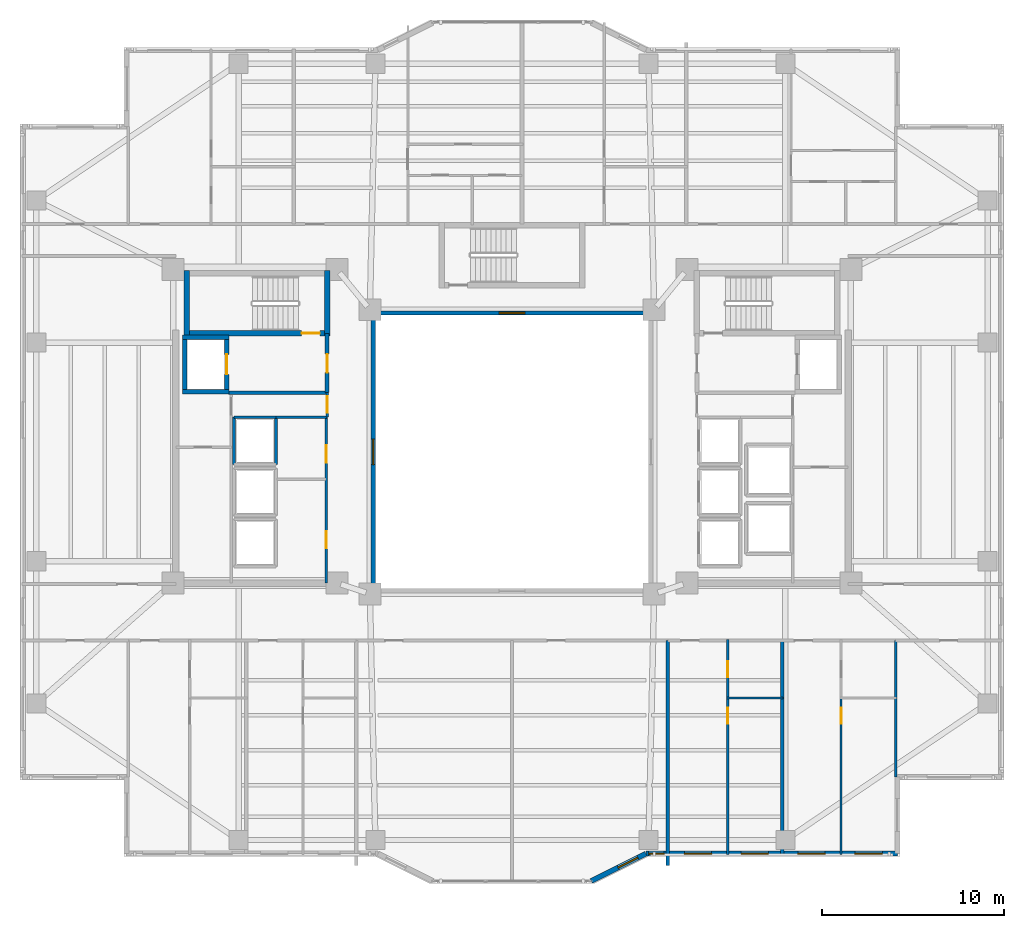
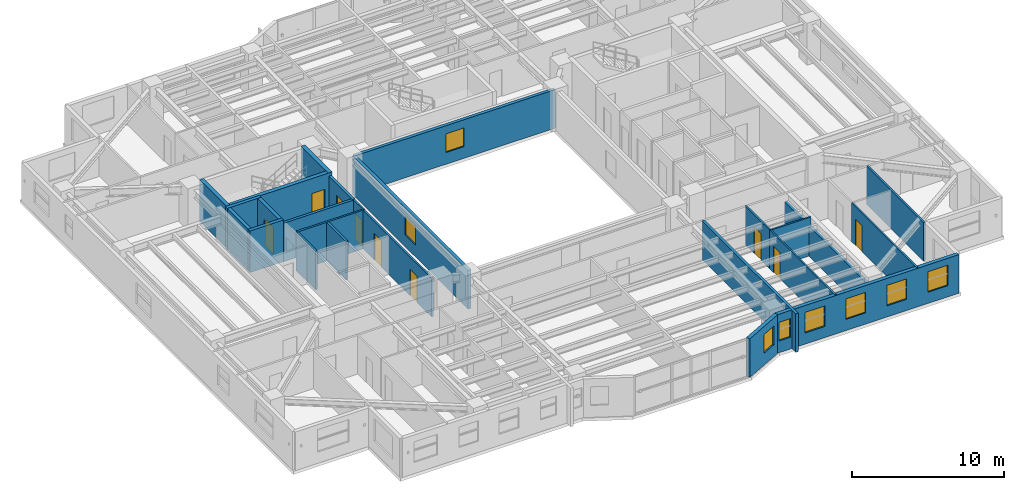
# One storey, part 7 of 18: 26 walls, 9 doors, 8 windows, 17 openings.
"""IFC4 building model written with IfcOpenShell, lengths in metres."""

from ifc_helpers import new_model, si_unit, direction, frame, frame_2d, origin, place, context, subcontext, project, spatial, rectangle, extrude, material, layer, layer_set, type_object, element, fill, save


model = new_model("IFC4")

# Units and contexts
model_context = context("Model", 3, precision=1e-05, world=origin(), true_north=direction((0.0, 1.0)))
body_context = subcontext(model_context, "Body", "Model", "MODEL_VIEW")
ifc_project = project(units=[si_unit("LENGTHUNIT", "METRE"), si_unit("AREAUNIT", "SQUARE_METRE"), si_unit("VOLUMEUNIT", "CUBIC_METRE"), si_unit("PLANEANGLEUNIT", "RADIAN"), si_unit("MASSUNIT", "GRAM", prefix="KILO")], contexts=[model_context])

# Site, building, storey
site_placement = place(None, origin())
site = spatial("IfcSite", under=ifc_project, at=site_placement, CompositionType="ELEMENT")
building_placement = place(site_placement, origin())
building = spatial("IfcBuilding", under=site, at=building_placement, Name="Tarnavaz Court Tower", CompositionType="ELEMENT")
storey_placement = place(building_placement, frame((0.0, 0.0, 98.39990234375)))
storey = spatial("IfcBuildingStorey", under=building, at=storey_placement, Name="L26", CompositionType="ELEMENT", Elevation=98.39990234375)

# Wall
ifc_material_1 = material(Name="Concrete C60/75", Category="concrete")
ifc_layer_1 = layer(ifc_material_1, 0.25)
ifc_layer_set_1 = layer_set([ifc_layer_1], Name="Concrete C60/75")
wall_type_1 = type_object("IfcWallType", Name="WL-CORE-250-C60", PredefinedType="SHEAR", material=ifc_layer_set_1)
wall_1_placement = place(storey_placement, frame((-17.949951171875, 3.175048828125, 0.0), z_axis=(0.0, 0.0, 1.0), x_axis=(0.0, 1.0, 0.0)))
element("IfcWall", 1, at=wall_1_placement, inside=storey, type_object=wall_type_1, Name="L26 Lift FL-W1 Shaft Wall 017", PredefinedType="SHEAR", context=body_context, shape_type="SweptSolid", body=[
    extrude(rectangle(XDim=3.25, YDim=0.25, at=frame_2d((1.625, 0.0))), origin(), (0.0, 0.0, 1.0), 3.35009765625),
])

# Wall, opening, door
wall_2_placement = place(storey_placement, frame((-15.64990234375, 3.175048828125, 0.0), z_axis=(0.0, 0.0, 1.0), x_axis=(0.0, 1.0, 0.0)))
wall_2 = element("IfcWall", 2, at=wall_2_placement, inside=storey, type_object=wall_type_1, Name="L26 Lift FL-W1 Shaft Wall 018", PredefinedType="SHEAR", context=body_context, shape_type="SweptSolid", body=[
    extrude(rectangle(XDim=3.25, YDim=0.25, at=frame_2d((1.625, 0.0))), origin(), (0.0, 0.0, 1.0), 3.35009765625),
])
opening_1_placement = place(wall_2_placement, frame((1.074951171875, 0.0, 0.0)))
opening_1 = element("IfcOpeningElement", 3, at=opening_1_placement, cuts=wall_2, Name="Opening LD1", PredefinedType="OPENING", context=body_context, shape_type="SweptSolid", body=[
    extrude(rectangle(XDim=1.10009765625, YDim=2.14990234375, at=frame_2d((0.550048828125, 1.074951171875))), frame((0.0, 0.135009765625, 0.0), z_axis=(0.0, -1.0, 0.0), x_axis=(1.0, 0.0, 0.0)), (0.0, 0.0, 1.0), 0.27001953125),
])
ifc_material_2 = material(Name="Stainless Steel", Category="steel")
door_type_1 = type_object("IfcDoorType", Name="DR-LD-1100", OperationType="NOTDEFINED", PredefinedType="DOOR", material=ifc_material_2)
door_1_placement = place(opening_1_placement, origin())
door_1 = element("IfcDoor", 4, at=door_1_placement, inside=storey, type_object=door_type_1, Name="L26 Lift Landing Door LD-FL-W1", OperationType="SLIDING_TO_LEFT", OverallHeight=2.14990234375, OverallWidth=1.10009765625, PredefinedType="DOOR", context=body_context, shape_type="SweptSolid", body=[
    extrude(rectangle(XDim=1.10009765625, YDim=2.14990234375, at=frame_2d((0.550048828125, 1.074951171875))), frame((0.0, 0.02490234375, 0.0), z_axis=(0.0, -1.0, 0.0), x_axis=(1.0, 0.0, 0.0)), (0.0, 0.0, 1.0), 0.050048828125),
])
fill(opening_1, door_1)

# Walls
for number, where, z_axis, x_axis, name in (
    (5, (-18.074951171875, 3.300048828125, 0.0), (0.0, 0.0, 1.0), (1.0, 0.0, 0.0), "L26 Lift FL-W1 Shaft Wall 019"),
    (6, (-18.074951171875, 6.300048828125, 0.0), (0.0, 0.0, 1.0), (1.0, 0.0, 0.0), "L26 Lift FL-W1 Shaft Wall 020"),
):
    element("IfcWall", number, at=place(storey_placement, frame(where, z_axis=z_axis, x_axis=x_axis)), inside=storey, type_object=wall_type_1, Name=name, PredefinedType="SHEAR", context=body_context, shape_type="SweptSolid", body=[
        extrude(rectangle(XDim=2.550048828125, YDim=0.25, at=frame_2d((1.27490234375, 0.0))), origin(), (0.0, 0.0, 1.0), 3.35009765625),
    ])

# Wall, opening, door
ifc_layer_2 = layer(ifc_material_1, 0.300048828125)
ifc_layer_set_2 = layer_set([ifc_layer_2], Name="Concrete C60/75")
wall_type_2 = type_object("IfcWallType", Name="WL-CORE-300-C60", PredefinedType="SHEAR", material=ifc_layer_set_2)
wall_3_placement = place(storey_placement, frame((-18.0, 6.5, 0.0), z_axis=(0.0, 0.0, 1.0), x_axis=(1.0, 0.0, 0.0)))
wall_3 = element("IfcWall", 7, at=wall_3_placement, inside=storey, type_object=wall_type_2, Name="L26 West Stair Core Wall 002", PredefinedType="SHEAR", context=body_context, shape_type="SweptSolid", body=[
    extrude(rectangle(XDim=8.0, YDim=0.300048828125, at=frame_2d((4.0, 0.0))), origin(), (0.0, 0.0, 1.0), 3.35009765625),
])
opening_2_placement = place(wall_3_placement, frame((6.449951171875, 0.0, 0.0)))
opening_2 = element("IfcOpeningElement", 8, at=opening_2_placement, cuts=wall_3, Name="Opening D01", PredefinedType="OPENING", context=body_context, shape_type="SweptSolid", body=[
    extrude(rectangle(XDim=1.0, YDim=2.14990234375, at=frame_2d((0.5, 1.074951171875))), frame((0.0, 0.159912109375, 0.0), z_axis=(0.0, -1.0, 0.0), x_axis=(1.0, 0.0, 0.0)), (0.0, 0.0, 1.0), 0.320068359375),
])
ifc_material_3 = material(Name="Fire-Rated Hardwood Timber Core", Category="wood")
door_type_2 = type_object("IfcDoorType", Name="DR-FD90-1000", OperationType="NOTDEFINED", PredefinedType="DOOR", material=ifc_material_3)
door_2_placement = place(opening_2_placement, origin())
door_2 = element("IfcDoor", 9, at=door_2_placement, inside=storey, type_object=door_type_2, Name="L26 Stair ST-W1 Exit Door", OperationType="SINGLE_SWING_LEFT", OverallHeight=2.14990234375, OverallWidth=1.0, PredefinedType="DOOR", context=body_context, shape_type="SweptSolid", body=[
    extrude(rectangle(XDim=1.0, YDim=2.14990234375, at=frame_2d((0.5, 1.074951171875))), frame((0.0, 0.02490234375, 0.0), z_axis=(0.0, -1.0, 0.0), x_axis=(1.0, 0.0, 0.0)), (0.0, 0.0, 1.0), 0.050048828125),
])
fill(opening_2, door_2)

# Walls
for number, where, z_axis, x_axis, name in (
    (10, (-17.85009765625, 6.35009765625, 0.0), (0.0, 0.0, 1.0), (0.0, 1.0, 0.0), "L26 West Stair Core Wall 003"),
    (11, (-10.14990234375, 6.35009765625, 0.0), (0.0, 0.0, 1.0), (0.0, 1.0, 0.0), "L26 West Stair Core Wall 004"),
):
    element("IfcWall", number, at=place(storey_placement, frame(where, z_axis=z_axis, x_axis=x_axis)), inside=storey, type_object=wall_type_2, Name=name, PredefinedType="SHEAR", context=body_context, shape_type="SweptSolid", body=[
        extrude(rectangle(XDim=3.58984375, YDim=0.300048828125, at=frame_2d((1.794921875, 0.0))), origin(), (0.0, 0.0, 1.0), 3.35009765625),
    ])

# Wall, openings, windows
ifc_material_4 = material(Name="Precast Concrete C40/50", Category="concrete")
ifc_layer_3 = layer(ifc_material_4, 0.280029296875)
ifc_layer_set_3 = layer_set([ifc_layer_3], Name="Precast Concrete C40/50")
wall_type_3 = type_object("IfcWallType", Name="WL-EXT-280", PredefinedType="SOLIDWALL", material=ifc_layer_set_3)
wall_4_placement = place(storey_placement, frame((21.14990234375, -22.050048828125, 0.0), z_axis=(0.0, 0.0, 1.0), x_axis=(-1.0, 0.0, 0.0)))
wall_4 = element("IfcWall", 12, at=wall_4_placement, inside=storey, type_object=wall_type_3, Name="L26 Exterior Terracotta Facade Wall 15", PredefinedType="SOLIDWALL", context=body_context, shape_type="SweptSolid", body=[
    extrude(rectangle(XDim=13.7998046875, YDim=0.280029296875, at=frame_2d((6.89990234375, 0.0))), origin(), (0.0, 0.0, 1.0), 3.10009765625),
])
opening_3_placement = place(wall_4_placement, frame((0.830810546875, 0.0, 0.89990234375)))
opening_3 = element("IfcOpeningElement", 13, at=opening_3_placement, cuts=wall_4, Name="Opening W03", PredefinedType="OPENING", context=body_context, shape_type="SweptSolid", body=[
    extrude(rectangle(XDim=1.5, YDim=1.64990234375, at=frame_2d((0.75, 0.824951171875))), frame((0.0, 0.14990234375, 0.0), z_axis=(0.0, -1.0, 0.0), x_axis=(1.0, 0.0, 0.0)), (0.0, 0.0, 1.0), 0.300048828125),
])
opening_4_placement = place(wall_4_placement, frame((3.967041015625, 0.0, 0.89990234375)))
opening_4 = element("IfcOpeningElement", 14, at=opening_4_placement, cuts=wall_4, Name="Opening W03", PredefinedType="OPENING", context=body_context, shape_type="SweptSolid", body=[
    extrude(rectangle(XDim=1.5, YDim=1.64990234375, at=frame_2d((0.75, 0.824951171875))), frame((0.0, 0.14990234375, 0.0), z_axis=(0.0, -1.0, 0.0), x_axis=(1.0, 0.0, 0.0)), (0.0, 0.0, 1.0), 0.300048828125),
])
opening_5_placement = place(wall_4_placement, frame((7.078369140625, 0.0, 0.89990234375)))
opening_5 = element("IfcOpeningElement", 15, at=opening_5_placement, cuts=wall_4, Name="Opening W03", PredefinedType="OPENING", context=body_context, shape_type="SweptSolid", body=[
    extrude(rectangle(XDim=1.5, YDim=1.64990234375, at=frame_2d((0.75, 0.824951171875))), frame((0.0, 0.14990234375, 0.0), z_axis=(0.0, -1.0, 0.0), x_axis=(1.0, 0.0, 0.0)), (0.0, 0.0, 1.0), 0.300048828125),
])
opening_6_placement = place(wall_4_placement, frame((10.189697265625, 0.0, 0.89990234375)))
opening_6 = element("IfcOpeningElement", 16, at=opening_6_placement, cuts=wall_4, Name="Opening W03", PredefinedType="OPENING", context=body_context, shape_type="SweptSolid", body=[
    extrude(rectangle(XDim=1.5, YDim=1.64990234375, at=frame_2d((0.75, 0.824951171875))), frame((0.0, 0.14990234375, 0.0), z_axis=(0.0, -1.0, 0.0), x_axis=(1.0, 0.0, 0.0)), (0.0, 0.0, 1.0), 0.300048828125),
])
opening_7_placement = place(wall_4_placement, frame((12.802978515625, 0.0, 0.949951171875)))
opening_7 = element("IfcOpeningElement", 17, at=opening_7_placement, cuts=wall_4, Name="Opening W15", PredefinedType="OPENING", context=body_context, shape_type="SweptSolid", body=[
    extrude(rectangle(XDim=0.85009765625, YDim=1.5, at=frame_2d((0.425048828125, 0.75))), frame((0.0, 0.14990234375, 0.0), z_axis=(0.0, -1.0, 0.0), x_axis=(1.0, 0.0, 0.0)), (0.0, 0.0, 1.0), 0.300048828125),
])
ifc_material_5 = material(Name="Double-Glazed Solar Low-E Glass", Category="glass")
window_type_1 = type_object("IfcWindowType", Name="WN-APT-1500", PartitioningType="DOUBLE_PANEL_VERTICAL", PredefinedType="WINDOW", material=ifc_material_5)
window_1_placement = place(opening_3_placement, origin())
window_1 = element("IfcWindow", 18, at=window_1_placement, inside=storey, type_object=window_type_1, Name="L26 Flat 08 Kitchen Window", OverallHeight=1.64990234375, OverallWidth=1.5, PartitioningType="SINGLE_PANEL", PredefinedType="WINDOW", context=body_context, shape_type="SweptSolid", body=[
    extrude(rectangle(XDim=1.5, YDim=1.64990234375, at=frame_2d((0.75, 0.824951171875))), frame((0.0, 0.030029296875, 0.0), z_axis=(0.0, -1.0, 0.0), x_axis=(1.0, 0.0, 0.0)), (0.0, 0.0, 1.0), 0.06005859375),
])
fill(opening_3, window_1)
window_2_placement = place(opening_4_placement, origin())
window_2 = element("IfcWindow", 19, at=window_2_placement, inside=storey, type_object=window_type_1, Name="L26 Flat 08 Studio Living and Sleeping Room Window", OverallHeight=1.64990234375, OverallWidth=1.5, PartitioningType="SINGLE_PANEL", PredefinedType="WINDOW", context=body_context, shape_type="SweptSolid", body=[
    extrude(rectangle(XDim=1.5, YDim=1.64990234375, at=frame_2d((0.75, 0.824951171875))), frame((0.0, 0.030029296875, 0.0), z_axis=(0.0, -1.0, 0.0), x_axis=(1.0, 0.0, 0.0)), (0.0, 0.0, 1.0), 0.06005859375),
])
fill(opening_4, window_2)
window_3_placement = place(opening_5_placement, origin())
window_3 = element("IfcWindow", 20, at=window_3_placement, inside=storey, type_object=window_type_1, Name="L26 Flat 07 Kitchen Window", OverallHeight=1.64990234375, OverallWidth=1.5, PartitioningType="SINGLE_PANEL", PredefinedType="WINDOW", context=body_context, shape_type="SweptSolid", body=[
    extrude(rectangle(XDim=1.5, YDim=1.64990234375, at=frame_2d((0.75, 0.824951171875))), frame((0.0, 0.030029296875, 0.0), z_axis=(0.0, -1.0, 0.0), x_axis=(1.0, 0.0, 0.0)), (0.0, 0.0, 1.0), 0.06005859375),
])
fill(opening_5, window_3)
window_4_placement = place(opening_6_placement, origin())
window_4 = element("IfcWindow", 21, at=window_4_placement, inside=storey, type_object=window_type_1, Name="L26 Flat 07 Studio Living and Sleeping Room Window", OverallHeight=1.64990234375, OverallWidth=1.5, PartitioningType="SINGLE_PANEL", PredefinedType="WINDOW", context=body_context, shape_type="SweptSolid", body=[
    extrude(rectangle(XDim=1.5, YDim=1.64990234375, at=frame_2d((0.75, 0.824951171875))), frame((0.0, 0.030029296875, 0.0), z_axis=(0.0, -1.0, 0.0), x_axis=(1.0, 0.0, 0.0)), (0.0, 0.0, 1.0), 0.06005859375),
])
fill(opening_6, window_4)
window_type_2 = type_object("IfcWindowType", Name="WN-APT-850", PartitioningType="SINGLE_PANEL", PredefinedType="WINDOW", material=ifc_material_5)
window_5_placement = place(opening_7_placement, origin())
window_5 = element("IfcWindow", 22, at=window_5_placement, inside=storey, type_object=window_type_2, Name="L26 South Courtyard Reading Room Window", OverallHeight=1.5, OverallWidth=0.85009765625, PartitioningType="SINGLE_PANEL", PredefinedType="WINDOW", context=body_context, shape_type="SweptSolid", body=[
    extrude(rectangle(XDim=0.85009765625, YDim=1.5, at=frame_2d((0.425048828125, 0.75))), frame((0.0, 0.030029296875, 0.0), z_axis=(0.0, -1.0, 0.0), x_axis=(1.0, 0.0, 0.0)), (0.0, 0.0, 1.0), 0.06005859375),
])
fill(opening_7, window_5)

# Wall, opening, window
wall_5_placement = place(storey_placement, frame((7.35009765625, -22.050048828125, 0.0), z_axis=(0.0, 0.0, 1.0), x_axis=(-0.894427191, -0.4472135955, 0.0)))
wall_5 = element("IfcWall", 23, at=wall_5_placement, inside=storey, type_object=wall_type_3, Name="L26 Exterior Terracotta Facade Wall 16", PredefinedType="SOLIDWALL", context=body_context, shape_type="SweptSolid", body=[
    extrude(rectangle(XDim=3.35400390625, YDim=0.280029296875, at=frame_2d((1.677001953125, 0.0))), origin(), (0.0, 0.0, 1.0), 3.10009765625),
])
opening_8_placement = place(wall_5_placement, frame((0.501220703125, 0.0, 0.949951171875)))
opening_8 = element("IfcOpeningElement", 24, at=opening_8_placement, cuts=wall_5, Name="Opening W05", PredefinedType="OPENING", context=body_context, shape_type="SweptSolid", body=[
    extrude(rectangle(XDim=1.199951171875, YDim=1.5, at=frame_2d((0.60009765625, 0.75))), frame((0.0, 0.14990234375, 0.0), z_axis=(0.0, -1.0, 0.0), x_axis=(1.0, 0.0, 0.0)), (0.0, 0.0, 1.0), 0.300048828125),
])
window_type_3 = type_object("IfcWindowType", Name="WN-APT-1200", PartitioningType="SINGLE_PANEL", PredefinedType="WINDOW", material=ifc_material_5)
window_6_placement = place(opening_8_placement, origin())
window_6 = element("IfcWindow", 25, at=window_6_placement, inside=storey, type_object=window_type_3, Name="L26 South Courtyard Reading Room Window", OverallHeight=1.5, OverallWidth=1.199951171875, PartitioningType="SINGLE_PANEL", PredefinedType="WINDOW", context=body_context, shape_type="SweptSolid", body=[
    extrude(rectangle(XDim=1.199951171875, YDim=1.5, at=frame_2d((0.60009765625, 0.75))), frame((0.0, 0.030029296875, 0.0), z_axis=(0.0, -1.0, 0.0), x_axis=(1.0, 0.0, 0.0)), (0.0, 0.0, 1.0), 0.06005859375),
])
fill(opening_8, window_6)

# Wall
ifc_material_6 = material(Name="Autoclaved Aerated Concrete Blockwork", Category="masonry")
ifc_layer_4 = layer(ifc_material_6, 0.199951171875)
ifc_layer_set_4 = layer_set([ifc_layer_4], Name="Autoclaved Aerated Concrete Blockwork")
wall_type_4 = type_object("IfcWallType", Name="WL-FIRE-200", PredefinedType="SOLIDWALL", material=ifc_layer_set_4)
wall_6_placement = place(storey_placement, frame((-15.550048828125, 3.25, 0.0), z_axis=(0.0, 0.0, 1.0), x_axis=(1.0, 0.0, 0.0)))
element("IfcWall", 26, at=wall_6_placement, inside=storey, type_object=wall_type_4, Name="L26 West Firefighting Lobby Wall 013", PredefinedType="SOLIDWALL", context=body_context, shape_type="SweptSolid", body=[
    extrude(rectangle(XDim=5.400146484375, YDim=0.199951171875, at=frame_2d((2.7001953125, 0.0))), origin(), (0.0, 0.0, 1.0), 3.10009765625),
])

# Wall, opening, door
wall_7_placement = place(storey_placement, frame((-10.14990234375, 3.25, 0.0), z_axis=(0.0, 0.0, 1.0), x_axis=(0.0, 1.0, 0.0)))
wall_7 = element("IfcWall", 27, at=wall_7_placement, inside=storey, type_object=wall_type_4, Name="L26 West Firefighting Lobby Wall 014", PredefinedType="SOLIDWALL", context=body_context, shape_type="SweptSolid", body=[
    extrude(rectangle(XDim=3.25, YDim=0.199951171875, at=frame_2d((1.625, 0.0))), origin(), (0.0, 0.0, 1.0), 3.10009765625),
])
opening_9_placement = place(wall_7_placement, frame((1.10009765625, 0.0, 0.0)))
opening_9 = element("IfcOpeningElement", 28, at=opening_9_placement, cuts=wall_7, Name="Opening D05", PredefinedType="OPENING", context=body_context, shape_type="SweptSolid", body=[
    extrude(rectangle(XDim=1.02001953125, YDim=2.14990234375, at=frame_2d((0.510009765625, 1.074951171875))), frame((0.0, 0.10986328125, 0.0), z_axis=(0.0, -1.0, 0.0), x_axis=(1.0, 0.0, 0.0)), (0.0, 0.0, 1.0), 0.219970703125),
])
door_type_3 = type_object("IfcDoorType", Name="DR-FD60-1000", OperationType="NOTDEFINED", PredefinedType="DOOR", material=ifc_material_3)
door_3_placement = place(opening_9_placement, origin())
door_3 = element("IfcDoor", 29, at=door_3_placement, inside=storey, type_object=door_type_3, Name="L26 West Firefighting Lobby Door", OperationType="SINGLE_SWING_RIGHT", OverallHeight=2.14990234375, OverallWidth=1.02001953125, PredefinedType="DOOR", context=body_context, shape_type="SweptSolid", body=[
    extrude(rectangle(XDim=1.02001953125, YDim=2.14990234375, at=frame_2d((0.510009765625, 1.074951171875))), frame((0.0, 0.02490234375, 0.0), z_axis=(0.0, -1.0, 0.0), x_axis=(1.0, 0.0, 0.0)), (0.0, 0.0, 1.0), 0.050048828125),
])
fill(opening_9, door_3)

# Walls
wall_8_placement = place(storey_placement, frame((14.824951171875, -22.10009765625, 0.0), z_axis=(0.0, 0.0, 1.0), x_axis=(0.0, 1.0, 0.0)))
element("IfcWall", 30, at=wall_8_placement, inside=storey, type_object=wall_type_4, Name="L26 Party Wall 101", PredefinedType="SOLIDWALL", context=body_context, shape_type="SweptSolid", body=[
    extrude(rectangle(XDim=11.75, YDim=0.199951171875, at=frame_2d((5.875, 0.0))), origin(), (0.0, 0.0, 1.0), 2.43505859375),
])
wall_9_placement = place(storey_placement, frame((8.550048828125, -22.7041015625, 0.0), z_axis=(0.0, 0.0, 1.0), x_axis=(0.0, 1.0, 0.0)))
element("IfcWall", 31, at=wall_9_placement, inside=storey, type_object=wall_type_4, Name="L26 Party Wall 109", PredefinedType="SOLIDWALL", context=body_context, shape_type="SweptSolid", body=[
    extrude(rectangle(XDim=12.35400390625, YDim=0.199951171875, at=frame_2d((6.177001953125, 0.0))), origin(), (0.0, 0.0, 1.0), 3.10009765625),
])

# Wall, opening, door
ifc_material_7 = material(Name="Moisture-Resistant Gypsum Board Partition", Category="masonry")
ifc_layer_5 = layer(ifc_material_7, 0.1201171875)
ifc_layer_set_5 = layer_set([ifc_layer_5], Name="Moisture-Resistant Gypsum Board Partition")
wall_type_5 = type_object("IfcWallType", Name="WL-PART-120", PredefinedType="PARTITIONING", material=ifc_layer_set_5)
wall_10_placement = place(storey_placement, frame((11.8349609375, -22.10009765625, 0.0), z_axis=(0.0, 0.0, 1.0), x_axis=(0.0, 1.0, 0.0)))
wall_10 = element("IfcWall", 32, at=wall_10_placement, inside=storey, type_object=wall_type_5, Name="L26 Interior Partition 102", PredefinedType="PARTITIONING", context=body_context, shape_type="SweptSolid", body=[
    extrude(rectangle(XDim=8.590087890625, YDim=0.1201171875, at=frame_2d((4.294921875, 0.0))), origin(), (0.0, 0.0, 1.0), 3.10009765625),
])
opening_10_placement = place(wall_10_placement, frame((7.18994140625, 0.0, 0.0)))
opening_10 = element("IfcOpeningElement", 33, at=opening_10_placement, cuts=wall_10, Name="Opening D14", PredefinedType="OPENING", context=body_context, shape_type="SweptSolid", body=[
    extrude(rectangle(XDim=0.8798828125, YDim=2.10009765625, at=frame_2d((0.43994140625, 1.050048828125))), frame((0.0, 0.070068359375, 0.0), z_axis=(0.0, -1.0, 0.0), x_axis=(1.0, 0.0, 0.0)), (0.0, 0.0, 1.0), 0.14013671875),
])
ifc_material_8 = material(Name="Engineered Oak Timber", Category="wood")
door_type_4 = type_object("IfcDoorType", Name="DR-INT-900", OperationType="NOTDEFINED", PredefinedType="DOOR", material=ifc_material_8)
door_4_placement = place(opening_10_placement, origin())
door_4 = element("IfcDoor", 34, at=door_4_placement, inside=storey, type_object=door_type_4, Name="L26 Flat 07 Kitchen Door", OperationType="SINGLE_SWING_RIGHT", OverallHeight=2.10009765625, OverallWidth=0.8798828125, PredefinedType="DOOR", context=body_context, shape_type="SweptSolid", body=[
    extrude(rectangle(XDim=0.8798828125, YDim=2.10009765625, at=frame_2d((0.43994140625, 1.050048828125))), frame((0.0, 0.02490234375, 0.0), z_axis=(0.0, -1.0, 0.0), x_axis=(1.0, 0.0, 0.0)), (0.0, 0.0, 1.0), 0.050048828125),
])
fill(opening_10, door_4)

wall_11_placement = place(storey_placement, frame((11.8349609375, -13.510009765625, 0.0), z_axis=(0.0, 0.0, 1.0), x_axis=(0.0, 1.0, 0.0)))
wall_11 = element("IfcWall", 35, at=wall_11_placement, inside=storey, type_object=wall_type_5, Name="L26 Interior Partition 103", PredefinedType="PARTITIONING", context=body_context, shape_type="SweptSolid", body=[
    extrude(rectangle(XDim=3.219970703125, YDim=0.1201171875, at=frame_2d((1.60986328125, 0.0))), origin(), (0.0, 0.0, 1.0), 3.10009765625),
])
opening_11_placement = place(wall_11_placement, frame((1.139892578125, 0.0, 0.0)))
opening_11 = element("IfcOpeningElement", 36, at=opening_11_placement, cuts=wall_11, Name="Opening D14", PredefinedType="OPENING", context=body_context, shape_type="SweptSolid", body=[
    extrude(rectangle(XDim=0.8798828125, YDim=2.10009765625, at=frame_2d((0.43994140625, 1.050048828125))), frame((0.0, 0.070068359375, 0.0), z_axis=(0.0, -1.0, 0.0), x_axis=(1.0, 0.0, 0.0)), (0.0, 0.0, 1.0), 0.14013671875),
])
door_5_placement = place(opening_11_placement, origin())
door_5 = element("IfcDoor", 37, at=door_5_placement, inside=storey, type_object=door_type_4, Name="L26 Flat 07 Bathroom Door", OperationType="SINGLE_SWING_LEFT", OverallHeight=2.10009765625, OverallWidth=0.8798828125, PredefinedType="DOOR", context=body_context, shape_type="SweptSolid", body=[
    extrude(rectangle(XDim=0.8798828125, YDim=2.10009765625, at=frame_2d((0.43994140625, 1.050048828125))), frame((0.0, 0.02490234375, 0.0), z_axis=(0.0, -1.0, 0.0), x_axis=(1.0, 0.0, 0.0)), (0.0, 0.0, 1.0), 0.050048828125),
])
fill(opening_11, door_5)

# Wall
wall_12_placement = place(storey_placement, frame((11.77490234375, -13.510009765625, 0.0), z_axis=(0.0, 0.0, 1.0), x_axis=(1.0, 0.0, 0.0)))
element("IfcWall", 38, at=wall_12_placement, inside=storey, type_object=wall_type_5, Name="L26 Interior Partition 104", PredefinedType="PARTITIONING", context=body_context, shape_type="SweptSolid", body=[
    extrude(rectangle(XDim=3.110107421875, YDim=0.1201171875, at=frame_2d((1.55517578125, 0.0))), origin(), (0.0, 0.0, 1.0), 3.10009765625),
])

# Wall, opening, door
wall_13_placement = place(storey_placement, frame((18.06005859375, -22.10009765625, 0.0), z_axis=(0.0, 0.0, 1.0), x_axis=(0.0, 1.0, 0.0)))
wall_13 = element("IfcWall", 39, at=wall_13_placement, inside=storey, type_object=wall_type_5, Name="L26 Interior Partition 105", PredefinedType="PARTITIONING", context=body_context, shape_type="SweptSolid", body=[
    extrude(rectangle(XDim=8.590087890625, YDim=0.1201171875, at=frame_2d((4.294921875, 0.0))), origin(), (0.0, 0.0, 1.0), 3.10009765625),
])
opening_12_placement = place(wall_13_placement, frame((7.18994140625, 0.0, 0.0)))
opening_12 = element("IfcOpeningElement", 40, at=opening_12_placement, cuts=wall_13, Name="Opening D14", PredefinedType="OPENING", context=body_context, shape_type="SweptSolid", body=[
    extrude(rectangle(XDim=0.8798828125, YDim=2.10009765625, at=frame_2d((0.43994140625, 1.050048828125))), frame((0.0, 0.070068359375, 0.0), z_axis=(0.0, -1.0, 0.0), x_axis=(1.0, 0.0, 0.0)), (0.0, 0.0, 1.0), 0.14013671875),
])
door_6_placement = place(opening_12_placement, origin())
door_6 = element("IfcDoor", 41, at=door_6_placement, inside=storey, type_object=door_type_4, Name="L26 Flat 08 Kitchen Door", OperationType="SINGLE_SWING_LEFT", OverallHeight=2.10009765625, OverallWidth=0.8798828125, PredefinedType="DOOR", context=body_context, shape_type="SweptSolid", body=[
    extrude(rectangle(XDim=0.8798828125, YDim=2.10009765625, at=frame_2d((0.43994140625, 1.050048828125))), frame((0.0, 0.02490234375, 0.0), z_axis=(0.0, -1.0, 0.0), x_axis=(1.0, 0.0, 0.0)), (0.0, 0.0, 1.0), 0.050048828125),
])
fill(opening_12, door_6)

# Wall
ifc_material_9 = material(Name="Gypsum Plasterboard Acoustic Partition", Category="masonry")
ifc_layer_6 = layer(ifc_material_9, 0.139892578125)
ifc_layer_set_6 = layer_set([ifc_layer_6], Name="Gypsum Plasterboard Acoustic Partition")
wall_type_6 = type_object("IfcWallType", Name="WL-PART-150", PredefinedType="PARTITIONING", material=ifc_layer_set_6)
wall_14_placement = place(storey_placement, frame((-12.949951171875, 1.89990234375, 0.0), z_axis=(0.0, 0.0, 1.0), x_axis=(1.0, 0.0, 0.0)))
element("IfcWall", 42, at=wall_14_placement, inside=storey, type_object=wall_type_6, Name="L26 Interior Partition 061", PredefinedType="PARTITIONING", context=body_context, shape_type="SweptSolid", body=[
    extrude(rectangle(XDim=2.800048828125, YDim=0.139892578125, at=frame_2d((1.39990234375, 0.0))), origin(), (0.0, 0.0, 1.0), 3.10009765625),
])

# Wall, opening, door
wall_15_placement = place(storey_placement, frame((-10.14990234375, 1.919921875, 0.0), z_axis=(0.0, 0.0, 1.0), x_axis=(0.0, 1.0, 0.0)))
wall_15 = element("IfcWall", 43, at=wall_15_placement, inside=storey, type_object=wall_type_6, Name="L26 Interior Partition 062", PredefinedType="PARTITIONING", context=body_context, shape_type="SweptSolid", body=[
    extrude(rectangle(XDim=1.330078125, YDim=0.139892578125, at=frame_2d((0.6650390625, 0.0))), origin(), (0.0, 0.0, 1.0), 3.10009765625),
])
opening_13_placement = place(wall_15_placement, frame((0.219970703125, 0.0, 0.0)))
opening_13 = element("IfcOpeningElement", 44, at=opening_13_placement, cuts=wall_15, Name="Opening D09", PredefinedType="OPENING", context=body_context, shape_type="SweptSolid", body=[
    extrude(rectangle(XDim=0.89990234375, YDim=2.080078125, at=frame_2d((0.449951171875, 1.0400390625))), frame((0.0, 0.079833984375, 0.0), z_axis=(0.0, -1.0, 0.0), x_axis=(1.0, 0.0, 0.0)), (0.0, 0.0, 1.0), 0.159912109375),
])
door_type_5 = type_object("IfcDoorType", Name="DR-FD30-900", OperationType="NOTDEFINED", PredefinedType="DOOR", material=ifc_material_3)
door_7_placement = place(opening_13_placement, origin())
door_7 = element("IfcDoor", 45, at=door_7_placement, inside=storey, type_object=door_type_5, Name="L26 West Core Service Lobby Door", OperationType="SINGLE_SWING_LEFT", OverallHeight=2.080078125, OverallWidth=0.89990234375, PredefinedType="DOOR", context=body_context, shape_type="SweptSolid", body=[
    extrude(rectangle(XDim=0.89990234375, YDim=2.080078125, at=frame_2d((0.449951171875, 1.0400390625))), frame((0.0, 0.02490234375, 0.0), z_axis=(0.0, -1.0, 0.0), x_axis=(1.0, 0.0, 0.0)), (0.0, 0.0, 1.0), 0.050048828125),
])
fill(opening_13, door_7)

# Wall, openings, doors
wall_16_placement = place(storey_placement, frame((-10.199951171875, -7.199951171875, 0.0), z_axis=(0.0, 0.0, 1.0), x_axis=(0.0, 1.0, 0.0)))
wall_16 = element("IfcWall", 46, at=wall_16_placement, inside=storey, type_object=wall_type_6, Name="L26 West Reclaimed Core Wall 065", PredefinedType="PARTITIONING", context=body_context, shape_type="SweptSolid", body=[
    extrude(rectangle(XDim=9.119873046875, YDim=0.139892578125, at=frame_2d((4.56005859375, 0.0))), origin(), (0.0, 0.0, 1.0), 3.10009765625),
])
opening_14_placement = place(wall_16_placement, frame((1.89990234375, 0.0, 0.0)))
opening_14 = element("IfcOpeningElement", 47, at=opening_14_placement, cuts=wall_16, Name="Opening D08", PredefinedType="OPENING", context=body_context, shape_type="SweptSolid", body=[
    extrude(rectangle(XDim=0.949951171875, YDim=2.1201171875, at=frame_2d((0.47509765625, 1.06005859375))), frame((0.0, 0.079833984375, 0.0), z_axis=(0.0, -1.0, 0.0), x_axis=(1.0, 0.0, 0.0)), (0.0, 0.0, 1.0), 0.159912109375),
])
opening_15_placement = place(wall_16_placement, frame((6.60009765625, 0.0, 0.0)))
opening_15 = element("IfcOpeningElement", 48, at=opening_15_placement, cuts=wall_16, Name="Opening D08", PredefinedType="OPENING", context=body_context, shape_type="SweptSolid", body=[
    extrude(rectangle(XDim=0.949951171875, YDim=2.1201171875, at=frame_2d((0.47509765625, 1.06005859375))), frame((0.0, 0.079833984375, 0.0), z_axis=(0.0, -1.0, 0.0), x_axis=(1.0, 0.0, 0.0)), (0.0, 0.0, 1.0), 0.159912109375),
])
door_type_6 = type_object("IfcDoorType", Name="DR-FD30-950", OperationType="NOTDEFINED", PredefinedType="DOOR", material=ifc_material_3)
door_8_placement = place(opening_14_placement, origin())
door_8 = element("IfcDoor", 49, at=door_8_placement, inside=storey, type_object=door_type_6, Name="L26 West Study Room Door", OperationType="SINGLE_SWING_RIGHT", OverallHeight=2.1201171875, OverallWidth=0.949951171875, PredefinedType="DOOR", context=body_context, shape_type="SweptSolid", body=[
    extrude(rectangle(XDim=0.949951171875, YDim=2.1201171875, at=frame_2d((0.47509765625, 1.06005859375))), frame((0.0, 0.02490234375, 0.0), z_axis=(0.0, -1.0, 0.0), x_axis=(1.0, 0.0, 0.0)), (0.0, 0.0, 1.0), 0.050048828125),
])
fill(opening_14, door_8)
door_9_placement = place(opening_15_placement, origin())
door_9 = element("IfcDoor", 50, at=door_9_placement, inside=storey, type_object=door_type_6, Name="L26 West Laundry Room Door", OperationType="SINGLE_SWING_LEFT", OverallHeight=2.1201171875, OverallWidth=0.949951171875, PredefinedType="DOOR", context=body_context, shape_type="SweptSolid", body=[
    extrude(rectangle(XDim=0.949951171875, YDim=2.1201171875, at=frame_2d((0.47509765625, 1.06005859375))), frame((0.0, 0.02490234375, 0.0), z_axis=(0.0, -1.0, 0.0), x_axis=(1.0, 0.0, 0.0)), (0.0, 0.0, 1.0), 0.050048828125),
])
fill(opening_15, door_9)

# Walls
wall_17_placement = place(storey_placement, frame((21.050048828125, -17.85009765625, 0.0), z_axis=(0.0, 0.0, 1.0), x_axis=(0.0, 1.0, 0.0)))
element("IfcWall", 51, at=wall_17_placement, inside=storey, type_object=wall_type_6, Name="L26 Interior Partition 117", PredefinedType="PARTITIONING", context=body_context, shape_type="SweptSolid", body=[
    extrude(rectangle(XDim=7.5, YDim=0.139892578125, at=frame_2d((3.75, 0.0))), origin(), (0.0, 0.0, 1.0), 3.10009765625),
])
ifc_layer_7 = layer(ifc_material_6, 0.159912109375)
ifc_layer_set_7 = layer_set([ifc_layer_7], Name="Autoclaved Aerated Concrete Blockwork")
wall_type_7 = type_object("IfcWallType", Name="WL-SHAFT-150", PredefinedType="SOLIDWALL", material=ifc_layer_set_7)
for number, where, z_axis, x_axis, name in (
    (52, (-15.25, -0.699951171875, 0.0), (0.0, 0.0, 1.0), (0.0, 1.0, 0.0), "L26 Lift PL-H3 Shaft Wall 029"),
    (53, (-12.949951171875, -0.699951171875, 0.0), (0.0, 0.0, 1.0), (0.0, 1.0, 0.0), "L26 Lift PL-H3 Shaft Wall 030"),
):
    element("IfcWall", number, at=place(storey_placement, frame(where, z_axis=z_axis, x_axis=x_axis)), inside=storey, type_object=wall_type_7, Name=name, PredefinedType="SOLIDWALL", context=body_context, shape_type="SweptSolid", body=[
        extrude(rectangle(XDim=2.599853515625, YDim=0.159912109375, at=frame_2d((1.2998046875, 0.0))), origin(), (0.0, 0.0, 1.0), 3.10009765625),
    ])
wall_18_placement = place(storey_placement, frame((-15.25, 1.89990234375, 0.0), z_axis=(0.0, 0.0, 1.0), x_axis=(1.0, 0.0, 0.0)))
element("IfcWall", 54, at=wall_18_placement, inside=storey, type_object=wall_type_7, Name="L26 Lift PL-H3 Shaft Wall 032", PredefinedType="SOLIDWALL", context=body_context, shape_type="SweptSolid", body=[
    extrude(rectangle(XDim=2.300048828125, YDim=0.159912109375, at=frame_2d((1.14990234375, 0.0))), origin(), (0.0, 0.0, 1.0), 3.10009765625),
])

# Wall, opening, window
ifc_layer_8 = layer(ifc_material_4, 0.239990234375)
ifc_layer_set_8 = layer_set([ifc_layer_8], Name="Precast Concrete C40/50")
wall_type_8 = type_object("IfcWallType", Name="WL-WELL-240", PredefinedType="SOLIDWALL", material=ifc_layer_set_8)
wall_19_placement = place(storey_placement, frame((7.6201171875, 7.6201171875, 0.0), z_axis=(0.0, 0.0, 1.0), x_axis=(-1.0, 0.0, 0.0)))
wall_19 = element("IfcWall", 55, at=wall_19_placement, inside=storey, type_object=wall_type_8, Name="L26 Badgir Light-Well Exterior Wall N", PredefinedType="SOLIDWALL", context=body_context, shape_type="SweptSolid", body=[
    extrude(rectangle(XDim=15.240234375, YDim=0.239990234375, at=frame_2d((7.6201171875, 0.0))), origin(), (0.0, 0.0, 1.0), 3.10009765625),
])
opening_16_placement = place(wall_19_placement, frame((6.919921875, 0.0, 0.949951171875)))
opening_16 = element("IfcOpeningElement", 56, at=opening_16_placement, cuts=wall_19, Name="Opening W13", PredefinedType="OPENING", context=body_context, shape_type="SweptSolid", body=[
    extrude(rectangle(XDim=1.39990234375, YDim=1.5, at=frame_2d((0.699951171875, 0.75))), frame((0.0, 0.1298828125, 0.0), z_axis=(0.0, -1.0, 0.0), x_axis=(1.0, 0.0, 0.0)), (0.0, 0.0, 1.0), 0.260009765625),
])
window_type_4 = type_object("IfcWindowType", Name="WN-WEL-1400", PartitioningType="SINGLE_PANEL", PredefinedType="WINDOW", material=ifc_material_5)
window_7_placement = place(opening_16_placement, origin())
window_7 = element("IfcWindow", 57, at=window_7_placement, inside=storey, type_object=window_type_4, Name="L26 Courtyard Gallery Window N", OverallHeight=1.5, OverallWidth=1.39990234375, PartitioningType="SINGLE_PANEL", PredefinedType="WINDOW", context=body_context, shape_type="SweptSolid", body=[
    extrude(rectangle(XDim=1.39990234375, YDim=1.5, at=frame_2d((0.699951171875, 0.75))), frame((0.0, 0.030029296875, 0.0), z_axis=(0.0, -1.0, 0.0), x_axis=(1.0, 0.0, 0.0)), (0.0, 0.0, 1.0), 0.06005859375),
])
fill(opening_16, window_7)

wall_20_placement = place(storey_placement, frame((-7.6201171875, 7.6201171875, 0.0), z_axis=(0.0, 0.0, 1.0), x_axis=(0.0, -1.0, 0.0)))
wall_20 = element("IfcWall", 58, at=wall_20_placement, inside=storey, type_object=wall_type_8, Name="L26 Badgir Light-Well Exterior Wall W", PredefinedType="SOLIDWALL", context=body_context, shape_type="SweptSolid", body=[
    extrude(rectangle(XDim=15.240234375, YDim=0.239990234375, at=frame_2d((7.6201171875, 0.0))), origin(), (0.0, 0.0, 1.0), 3.10009765625),
])
opening_17_placement = place(wall_20_placement, frame((6.919921875, 0.0, 0.949951171875)))
opening_17 = element("IfcOpeningElement", 59, at=opening_17_placement, cuts=wall_20, Name="Opening W13", PredefinedType="OPENING", context=body_context, shape_type="SweptSolid", body=[
    extrude(rectangle(XDim=1.39990234375, YDim=1.5, at=frame_2d((0.699951171875, 0.75))), frame((0.0, 0.1298828125, 0.0), z_axis=(0.0, -1.0, 0.0), x_axis=(1.0, 0.0, 0.0)), (0.0, 0.0, 1.0), 0.260009765625),
])
window_8_placement = place(opening_17_placement, origin())
window_8 = element("IfcWindow", 60, at=window_8_placement, inside=storey, type_object=window_type_4, Name="L26 Courtyard Gallery Window W", OverallHeight=1.5, OverallWidth=1.39990234375, PartitioningType="SINGLE_PANEL", PredefinedType="WINDOW", context=body_context, shape_type="SweptSolid", body=[
    extrude(rectangle(XDim=1.39990234375, YDim=1.5, at=frame_2d((0.699951171875, 0.75))), frame((0.0, 0.030029296875, 0.0), z_axis=(0.0, -1.0, 0.0), x_axis=(1.0, 0.0, 0.0)), (0.0, 0.0, 1.0), 0.06005859375),
])
fill(opening_17, window_8)

save(model, "model.ifc")
